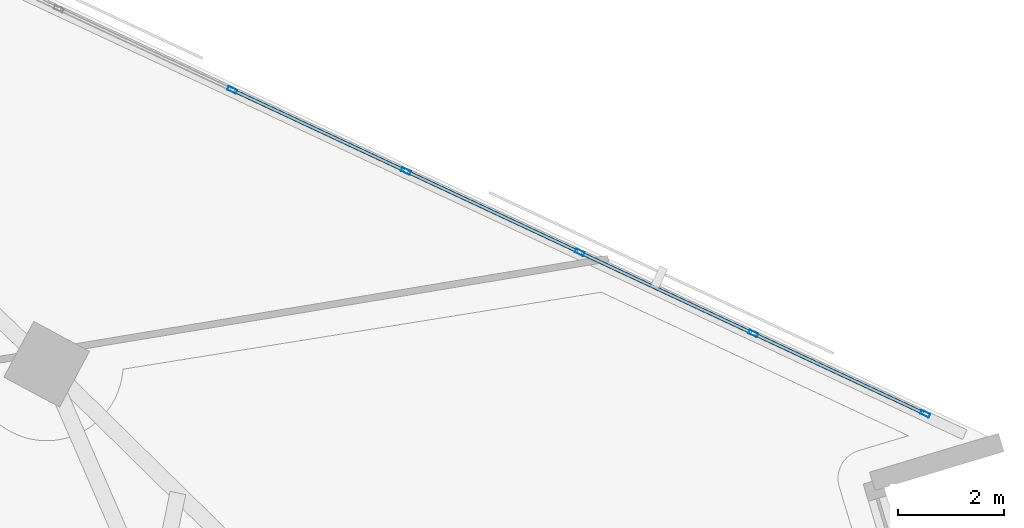
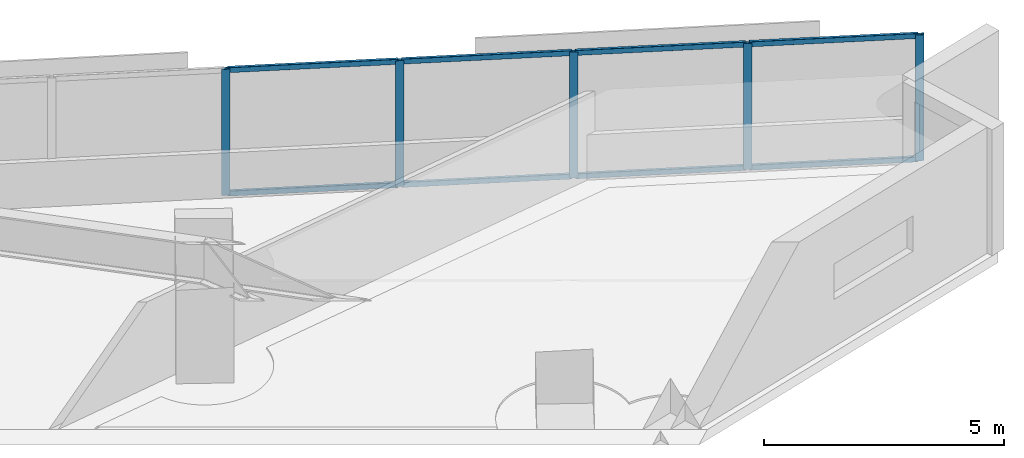
# One storey, part 5 of 14: 13 members, 1 element without a shape of its own.
"""IFC4 building model written with IfcOpenShell, lengths in metres."""

from ifc_helpers import new_model, si_unit, direction, frame, origin, origin_2d, place, context, subcontext, project, spatial, hollow_rectangle, extrude, material, material_profile, profile_set, type_object, element, aggregate, save


model = new_model("IFC4")

# Units and contexts
model_context = context("Model", 3, precision=1e-05, world=origin(), true_north=direction((0.0, 1.0)))
body_context = subcontext(model_context, "Body", "Model", "MODEL_VIEW")
ifc_project = project(units=[si_unit("LENGTHUNIT", "METRE"), si_unit("AREAUNIT", "SQUARE_METRE"), si_unit("VOLUMEUNIT", "CUBIC_METRE"), si_unit("PLANEANGLEUNIT", "RADIAN"), si_unit("MASSUNIT", "GRAM", prefix="KILO")], contexts=[model_context])

# Site, building, storey
site_placement = place(None, origin())
site = spatial("IfcSite", under=ifc_project, at=site_placement, CompositionType="ELEMENT")
building_placement = place(site_placement, origin())
building = spatial("IfcBuilding", under=site, at=building_placement, Name="Narakoshi Arena Tower", CompositionType="ELEMENT")
storey_placement = place(building_placement, frame((0.0, 0.0, 161.10009765625)))
storey = spatial("IfcBuildingStorey", under=building, at=storey_placement, Name="L43", CompositionType="ELEMENT", Elevation=161.10009765625)

# Curtain wall, members
ifc_material = material(Name="Anodised bronze aluminium 6063-T6", Category="aluminium")
curtain_wall_type = type_object("IfcCurtainWallType", Name="CW-HYP-MID", PredefinedType="NOTDEFINED", material=ifc_material)
curtain_wall_placement = place(storey_placement, origin())
curtain_wall = element("IfcCurtainWall", 1, at=curtain_wall_placement, inside=storey, type_object=curtain_wall_type, Name="L43 Folded Hypotenuse Curtain Wall 1-1", PredefinedType="NOTDEFINED")
ifc_material_profile_1 = material_profile(ifc_material, hollow_rectangle(XDim=0.074951171875, YDim=0.179931640625, WallThickness=0.00390625, OuterFilletRadius=0.0048828125, at=origin_2d()), Name="MUL180x75x4")
ifc_profile_set_1 = profile_set([ifc_material_profile_1], Name="Anodised bronze aluminium 6063-T6")
member_type_1 = type_object("IfcMemberType", Name="MEM-MUL-180", PredefinedType="MULLION", material=ifc_profile_set_1)
member_1_placement = place(storey_placement, frame((119.174072265625, 48.238525390625, 0.0), z_axis=(0.0, 0.0, 1.0), x_axis=(-0.423531721612, -0.905881273009, 0.0)))
member_1 = element("IfcMember", 2, at=member_1_placement, type_object=member_type_1, Name="CW-02 mullion 1", PredefinedType="MULLION", context=body_context, shape_type="SweptSolid", body=[
    extrude(hollow_rectangle(XDim=0.074951171875, YDim=0.179931640625, WallThickness=0.00390625, OuterFilletRadius=0.0048828125, at=origin_2d()), origin(), (0.0, 0.0, 1.0), 3.199951171875),
])
member_2_placement = place(storey_placement, frame((115.91650390625, 49.761474609375, 0.0), z_axis=(0.0, 0.0, 1.0), x_axis=(-0.423531721612, -0.905881273009, 0.0)))
member_2 = element("IfcMember", 3, at=member_2_placement, type_object=member_type_1, Name="CW-02 mullion 2", PredefinedType="MULLION", context=body_context, shape_type="SweptSolid", body=[
    extrude(hollow_rectangle(XDim=0.074951171875, YDim=0.179931640625, WallThickness=0.00390625, OuterFilletRadius=0.0048828125, at=origin_2d()), origin(), (0.0, 0.0, 1.0), 3.199951171875),
])
member_3_placement = place(storey_placement, frame((112.625, 51.300537109375, 0.0), z_axis=(0.0, 0.0, 1.0), x_axis=(-0.423531721612, -0.905881273009, 0.0)))
member_3 = element("IfcMember", 4, at=member_3_placement, type_object=member_type_1, Name="CW-02 mullion 3", PredefinedType="MULLION", context=body_context, shape_type="SweptSolid", body=[
    extrude(hollow_rectangle(XDim=0.074951171875, YDim=0.179931640625, WallThickness=0.00390625, OuterFilletRadius=0.0048828125, at=origin_2d()), origin(), (0.0, 0.0, 1.0), 3.199951171875),
])
member_4_placement = place(storey_placement, frame((109.33349609375, 52.83935546875, 0.0), z_axis=(0.0, 0.0, 1.0), x_axis=(-0.423531721612, -0.905881273009, 0.0)))
member_4 = element("IfcMember", 5, at=member_4_placement, type_object=member_type_1, Name="CW-02 mullion 4", PredefinedType="MULLION", context=body_context, shape_type="SweptSolid", body=[
    extrude(hollow_rectangle(XDim=0.074951171875, YDim=0.179931640625, WallThickness=0.00390625, OuterFilletRadius=0.0048828125, at=origin_2d()), origin(), (0.0, 0.0, 1.0), 3.199951171875),
])
member_5_placement = place(storey_placement, frame((106.0419921875, 54.378173828125, 0.0), z_axis=(0.0, 0.0, 1.0), x_axis=(-0.423531721612, -0.905881273009, 0.0)))
member_5 = element("IfcMember", 6, at=member_5_placement, type_object=member_type_1, Name="CW-02 mullion 5", PredefinedType="MULLION", context=body_context, shape_type="SweptSolid", body=[
    extrude(hollow_rectangle(XDim=0.074951171875, YDim=0.179931640625, WallThickness=0.00390625, OuterFilletRadius=0.0048828125, at=origin_2d()), origin(), (0.0, 0.0, 1.0), 3.199951171875),
])
ifc_material_profile_2 = material_profile(ifc_material, hollow_rectangle(XDim=0.06494140625, YDim=0.1298828125, WallThickness=0.00390625, OuterFilletRadius=0.0048828125, at=origin_2d()), Name="TRN130x65x4")
ifc_profile_set_2 = profile_set([ifc_material_profile_2], Name="Anodised bronze aluminium 6063-T6")
member_type_2 = type_object("IfcMemberType", Name="MEM-TRN-130", PredefinedType="USERDEFINED", material=ifc_profile_set_2)
member_6_placement = place(storey_placement, frame((119.14013671875, 48.25439453125, 0.032470703125), z_axis=(-0.905890644442, 0.423511676713, 0.0), x_axis=(-0.423511676713, -0.905890644442, 0.0)))
member_6 = element("IfcMember", 7, at=member_6_placement, type_object=member_type_2, Name="CW-02 transom 1.1", ObjectType="TRANSOM", PredefinedType="USERDEFINED", context=body_context, shape_type="SweptSolid", body=[
    extrude(hollow_rectangle(XDim=0.06494140625, YDim=0.1298828125, WallThickness=0.00390625, OuterFilletRadius=0.0048828125, at=origin_2d()), origin(), (0.0, 0.0, 1.0), 3.52099609375),
])
member_7_placement = place(storey_placement, frame((119.14013671875, 48.25439453125, 3.16748046875), z_axis=(-0.905890644442, 0.423511676713, 0.0), x_axis=(-0.423511676713, -0.905890644442, 0.0)))
member_7 = element("IfcMember", 8, at=member_7_placement, type_object=member_type_2, Name="CW-02 transom 1.2", ObjectType="TRANSOM", PredefinedType="USERDEFINED", context=body_context, shape_type="SweptSolid", body=[
    extrude(hollow_rectangle(XDim=0.06494140625, YDim=0.1298828125, WallThickness=0.00390625, OuterFilletRadius=0.0048828125, at=origin_2d()), origin(), (0.0, 0.0, 1.0), 3.52099609375),
])
member_8_placement = place(storey_placement, frame((115.882568359375, 49.777587890625, 0.032470703125), z_axis=(-0.905890215319, 0.423512594605, 0.0), x_axis=(-0.423512594605, -0.905890215319, 0.0)))
member_8 = element("IfcMember", 9, at=member_8_placement, type_object=member_type_2, Name="CW-02 transom 2.1", ObjectType="TRANSOM", PredefinedType="USERDEFINED", context=body_context, shape_type="SweptSolid", body=[
    extrude(hollow_rectangle(XDim=0.06494140625, YDim=0.1298828125, WallThickness=0.00390625, OuterFilletRadius=0.0048828125, at=origin_2d()), origin(), (0.0, 0.0, 1.0), 3.55859375),
])
member_9_placement = place(storey_placement, frame((115.882568359375, 49.777587890625, 3.16748046875), z_axis=(-0.905890215319, 0.423512594605, 0.0), x_axis=(-0.423512594605, -0.905890215319, 0.0)))
member_9 = element("IfcMember", 10, at=member_9_placement, type_object=member_type_2, Name="CW-02 transom 2.2", ObjectType="TRANSOM", PredefinedType="USERDEFINED", context=body_context, shape_type="SweptSolid", body=[
    extrude(hollow_rectangle(XDim=0.06494140625, YDim=0.1298828125, WallThickness=0.00390625, OuterFilletRadius=0.0048828125, at=origin_2d()), origin(), (0.0, 0.0, 1.0), 3.55859375),
])
member_10_placement = place(storey_placement, frame((112.591064453125, 51.31640625, 0.032470703125), z_axis=(-0.905890215319, 0.423512594605, 0.0), x_axis=(-0.423512594605, -0.905890215319, 0.0)))
member_10 = element("IfcMember", 11, at=member_10_placement, type_object=member_type_2, Name="CW-02 transom 3.1", ObjectType="TRANSOM", PredefinedType="USERDEFINED", context=body_context, shape_type="SweptSolid", body=[
    extrude(hollow_rectangle(XDim=0.06494140625, YDim=0.1298828125, WallThickness=0.00390625, OuterFilletRadius=0.0048828125, at=origin_2d()), origin(), (0.0, 0.0, 1.0), 3.55859375),
])
member_11_placement = place(storey_placement, frame((112.591064453125, 51.31640625, 3.16748046875), z_axis=(-0.905890215319, 0.423512594605, 0.0), x_axis=(-0.423512594605, -0.905890215319, 0.0)))
member_11 = element("IfcMember", 12, at=member_11_placement, type_object=member_type_2, Name="CW-02 transom 3.2", ObjectType="TRANSOM", PredefinedType="USERDEFINED", context=body_context, shape_type="SweptSolid", body=[
    extrude(hollow_rectangle(XDim=0.06494140625, YDim=0.1298828125, WallThickness=0.00390625, OuterFilletRadius=0.0048828125, at=origin_2d()), origin(), (0.0, 0.0, 1.0), 3.55859375),
])
member_12_placement = place(storey_placement, frame((109.299560546875, 52.855224609375, 0.032470703125), z_axis=(-0.905890215319, 0.423512594605, 0.0), x_axis=(-0.423512594605, -0.905890215319, 0.0)))
member_12 = element("IfcMember", 13, at=member_12_placement, type_object=member_type_2, Name="CW-02 transom 4.1", ObjectType="TRANSOM", PredefinedType="USERDEFINED", context=body_context, shape_type="SweptSolid", body=[
    extrude(hollow_rectangle(XDim=0.06494140625, YDim=0.1298828125, WallThickness=0.00390625, OuterFilletRadius=0.0048828125, at=origin_2d()), origin(), (0.0, 0.0, 1.0), 3.55859375),
])
member_13_placement = place(storey_placement, frame((109.299560546875, 52.855224609375, 3.16748046875), z_axis=(-0.905890215319, 0.423512594605, 0.0), x_axis=(-0.423512594605, -0.905890215319, 0.0)))
member_13 = element("IfcMember", 14, at=member_13_placement, type_object=member_type_2, Name="CW-02 transom 4.2", ObjectType="TRANSOM", PredefinedType="USERDEFINED", context=body_context, shape_type="SweptSolid", body=[
    extrude(hollow_rectangle(XDim=0.06494140625, YDim=0.1298828125, WallThickness=0.00390625, OuterFilletRadius=0.0048828125, at=origin_2d()), origin(), (0.0, 0.0, 1.0), 3.55859375),
])
aggregate(curtain_wall, [member_1, member_2, member_3, member_4, member_5, member_6, member_7, member_8, member_9, member_10, member_11, member_12, member_13])

save(model, "model.ifc")
